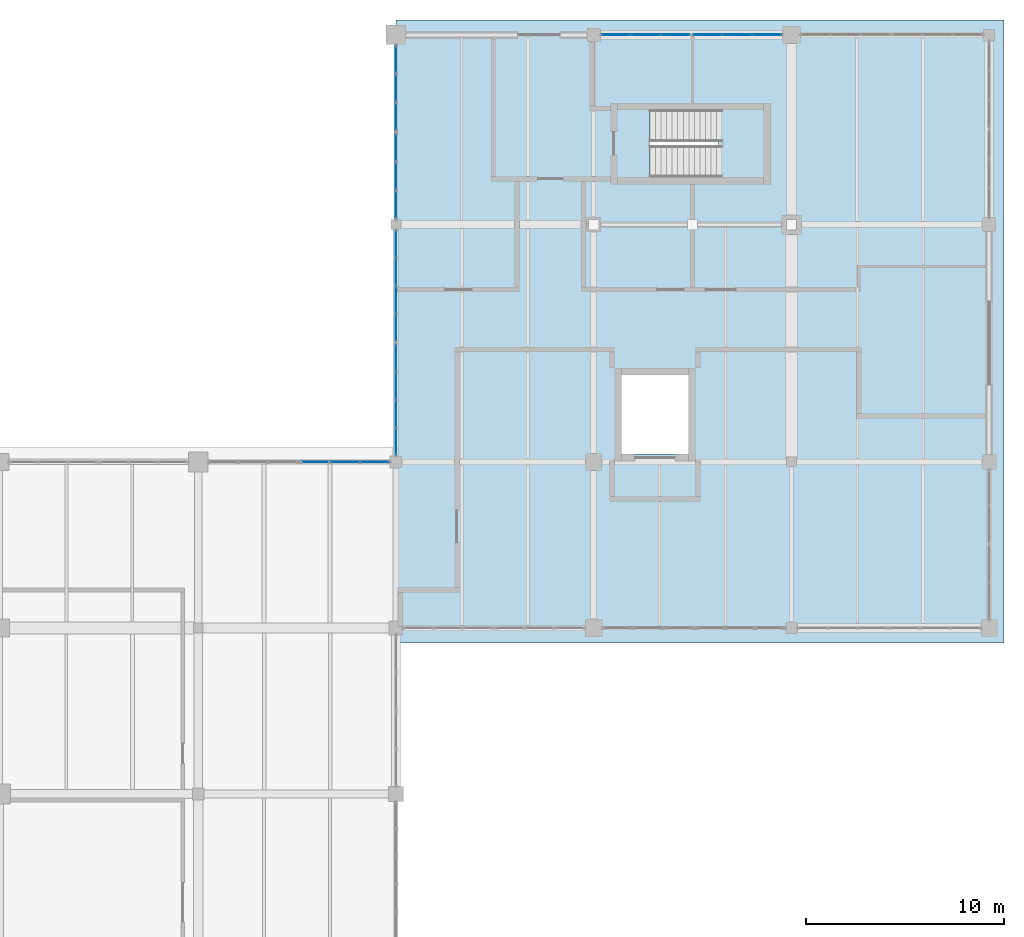
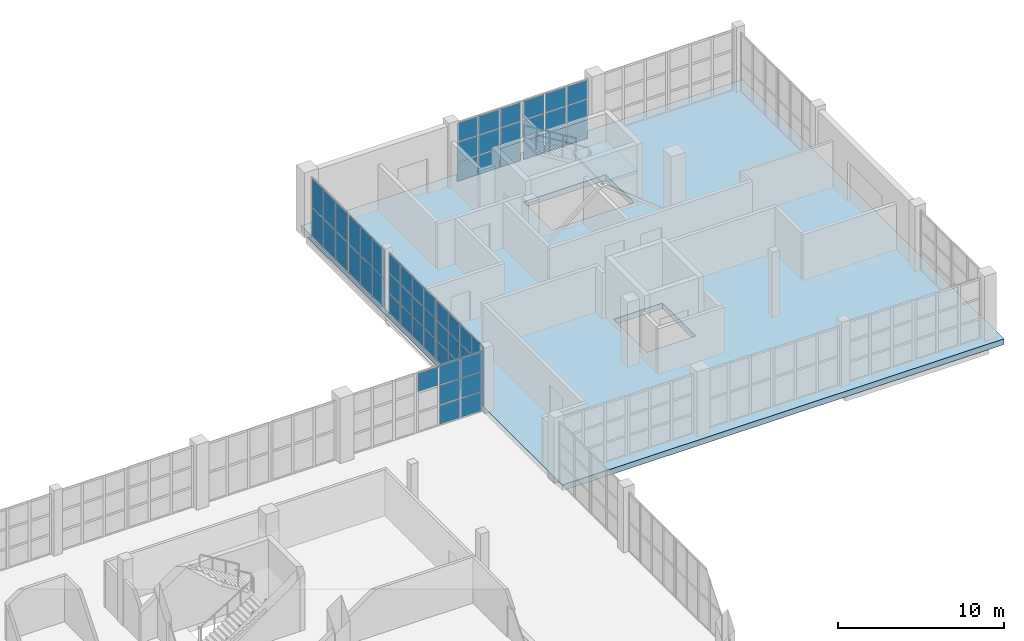
# One storey, part 94 of 121: 61 plates, 2 slabs, 8 elements without a shape of their own.
"""IFC4 building model written with IfcOpenShell, lengths in metres."""

from ifc_helpers import new_model, si_unit, direction, frame, origin, origin_2d, place, context, subcontext, project, spatial, polyline, rectangle, outline, extrude, material, layer, layer_set, type_object, element, aggregate, save


model = new_model("IFC4")

# Units and contexts
model_context = context("Model", 3, precision=1e-05, world=origin(), true_north=direction((0.0, 1.0)))
body_context = subcontext(model_context, "Body", "Model", "MODEL_VIEW")
ifc_project = project(units=[si_unit("LENGTHUNIT", "METRE"), si_unit("AREAUNIT", "SQUARE_METRE"), si_unit("VOLUMEUNIT", "CUBIC_METRE"), si_unit("PLANEANGLEUNIT", "RADIAN"), si_unit("MASSUNIT", "GRAM", prefix="KILO")], contexts=[model_context])

# Site, building, storey
site_placement = place(None, origin())
site = spatial("IfcSite", under=ifc_project, at=site_placement, CompositionType="ELEMENT")
building_placement = place(site_placement, origin())
building = spatial("IfcBuilding", under=site, at=building_placement, Name="Zereglee Splitstone Museum", CompositionType="ELEMENT")
storey_placement = place(building_placement, origin())
storey = spatial("IfcBuildingStorey", under=building, at=storey_placement, Name="L00", CompositionType="ELEMENT", Elevation=0.0)

# Curtain wall, plates
ifc_material_1 = material(Name="Triple-glazed low-E argon glass and bronze-anodised aluminium", Category="aluminium")
ifc_layer_1 = layer(ifc_material_1, 0.179931640625)
ifc_layer_set_1 = layer_set([ifc_layer_1], Name="Triple-glazed low-E argon glass and bronze-anodised aluminium")
curtain_wall_type_1 = type_object("IfcCurtainWallType", Name="CW-0455-444", PredefinedType="USERDEFINED", material=ifc_layer_set_1)
curtain_wall_1_placement = place(storey_placement, origin())
curtain_wall_1 = element("IfcCurtainWall", 1, at=curtain_wall_1_placement, inside=storey, type_object=curtain_wall_type_1, Name="Glazed Curtain Wall CW-0455-444 (L00)", ObjectType="GLAZED CURTAIN WALL", PredefinedType="USERDEFINED")
ifc_material_2 = material(Name="Triple low-e argon insulated safety glass", Category="glass")
ifc_layer_2 = layer(ifc_material_2, 0.035888671875)
ifc_layer_set_2 = layer_set([ifc_layer_2], Name="Triple low-e argon insulated safety glass")
plate_type = type_object("IfcPlateType", Name="CWP-01", PredefinedType="CURTAIN_PANEL", material=ifc_layer_set_2)
plate_1_placement = place(storey_placement, frame((314.76708984375, 60.0, 0.06494140625), z_axis=(0.0, 0.0, 1.0), x_axis=(-1.0, 0.0, 0.0)))
plate_1 = element("IfcPlate", 2, at=plate_1_placement, type_object=plate_type, Name="CW-0455-444 panel 1.1", PredefinedType="CURTAIN_PANEL", context=body_context, shape_type="SweptSolid", body=[
    extrude(rectangle(XDim=1.419921875, YDim=0.035888671875, at=origin_2d()), origin(), (0.0, 0.0, 1.0), 1.382568359375),
])
plate_2_placement = place(storey_placement, frame((314.76708984375, 60.0, 1.512451171875), z_axis=(0.0, 0.0, 1.0), x_axis=(-1.0, 0.0, 0.0)))
plate_2 = element("IfcPlate", 3, at=plate_2_placement, type_object=plate_type, Name="CW-0455-444 panel 1.2", PredefinedType="CURTAIN_PANEL", context=body_context, shape_type="SweptSolid", body=[
    extrude(rectangle(XDim=1.419921875, YDim=0.035888671875, at=origin_2d()), origin(), (0.0, 0.0, 1.0), 1.4150390625),
])
plate_3_placement = place(storey_placement, frame((314.76708984375, 60.0, 2.99267578125), z_axis=(0.0, 0.0, 1.0), x_axis=(-1.0, 0.0, 0.0)))
plate_3 = element("IfcPlate", 4, at=plate_3_placement, type_object=plate_type, Name="CW-0455-444 panel 1.3", PredefinedType="CURTAIN_PANEL", context=body_context, shape_type="SweptSolid", body=[
    extrude(rectangle(XDim=1.419921875, YDim=0.035888671875, at=origin_2d()), origin(), (0.0, 0.0, 1.0), 1.382568359375),
])
plate_4_placement = place(storey_placement, frame((313.26611328125, 60.0, 0.06494140625), z_axis=(0.0, 0.0, 1.0), x_axis=(-1.0, 0.0, 0.0)))
plate_4 = element("IfcPlate", 5, at=plate_4_placement, type_object=plate_type, Name="CW-0455-444 panel 2.1", PredefinedType="CURTAIN_PANEL", context=body_context, shape_type="SweptSolid", body=[
    extrude(rectangle(XDim=1.452392578125, YDim=0.035888671875, at=origin_2d()), origin(), (0.0, 0.0, 1.0), 1.382568359375),
])
plate_5_placement = place(storey_placement, frame((313.26611328125, 60.0, 1.512451171875), z_axis=(0.0, 0.0, 1.0), x_axis=(-1.0, 0.0, 0.0)))
plate_5 = element("IfcPlate", 6, at=plate_5_placement, type_object=plate_type, Name="CW-0455-444 panel 2.2", PredefinedType="CURTAIN_PANEL", context=body_context, shape_type="SweptSolid", body=[
    extrude(rectangle(XDim=1.452392578125, YDim=0.035888671875, at=origin_2d()), origin(), (0.0, 0.0, 1.0), 1.4150390625),
])
plate_6_placement = place(storey_placement, frame((313.26611328125, 60.0, 2.99267578125), z_axis=(0.0, 0.0, 1.0), x_axis=(-1.0, 0.0, 0.0)))
plate_6 = element("IfcPlate", 7, at=plate_6_placement, type_object=plate_type, Name="CW-0455-444 panel 2.3", PredefinedType="CURTAIN_PANEL", context=body_context, shape_type="SweptSolid", body=[
    extrude(rectangle(XDim=1.452392578125, YDim=0.035888671875, at=origin_2d()), origin(), (0.0, 0.0, 1.0), 1.382568359375),
])
plate_7_placement = place(storey_placement, frame((311.764892578125, 60.0, 0.06494140625), z_axis=(0.0, 0.0, 1.0), x_axis=(-1.0, 0.0, 0.0)))
plate_7 = element("IfcPlate", 8, at=plate_7_placement, type_object=plate_type, Name="CW-0455-444 panel 3.1", PredefinedType="CURTAIN_PANEL", context=body_context, shape_type="SweptSolid", body=[
    extrude(rectangle(XDim=1.419921875, YDim=0.035888671875, at=origin_2d()), origin(), (0.0, 0.0, 1.0), 1.382568359375),
])
plate_8_placement = place(storey_placement, frame((311.764892578125, 60.0, 1.512451171875), z_axis=(0.0, 0.0, 1.0), x_axis=(-1.0, 0.0, 0.0)))
plate_8 = element("IfcPlate", 9, at=plate_8_placement, type_object=plate_type, Name="CW-0455-444 panel 3.2", PredefinedType="CURTAIN_PANEL", context=body_context, shape_type="SweptSolid", body=[
    extrude(rectangle(XDim=1.419921875, YDim=0.035888671875, at=origin_2d()), origin(), (0.0, 0.0, 1.0), 1.4150390625),
])
plate_9_placement = place(storey_placement, frame((311.764892578125, 60.0, 2.99267578125), z_axis=(0.0, 0.0, 1.0), x_axis=(-1.0, 0.0, 0.0)))
plate_9 = element("IfcPlate", 10, at=plate_9_placement, type_object=plate_type, Name="CW-0455-444 panel 3.3", PredefinedType="CURTAIN_PANEL", context=body_context, shape_type="SweptSolid", body=[
    extrude(rectangle(XDim=1.419921875, YDim=0.035888671875, at=origin_2d()), origin(), (0.0, 0.0, 1.0), 1.382568359375),
])
aggregate(curtain_wall_1, [plate_1, plate_2, plate_3, plate_4, plate_5, plate_6, plate_7, plate_8, plate_9])

ifc_layer_3 = layer(ifc_material_1, 0.179931640625)
ifc_layer_set_3 = layer_set([ifc_layer_3], Name="Triple-glazed low-E argon glass and bronze-anodised aluminium")
curtain_wall_type_2 = type_object("IfcCurtainWallType", Name="CW-0455-442", PredefinedType="USERDEFINED", material=ifc_layer_set_3)
curtain_wall_2_placement = place(storey_placement, origin())
curtain_wall_2 = element("IfcCurtainWall", 11, at=curtain_wall_2_placement, inside=storey, type_object=curtain_wall_type_2, Name="Glazed Curtain Wall CW-0455-442 (L00)", ObjectType="GLAZED CURTAIN WALL", PredefinedType="USERDEFINED")
plate_10_placement = place(storey_placement, frame((310.135009765625, 60.0, 0.06494140625), z_axis=(0.0, 0.0, 1.0), x_axis=(-1.0, 0.0, 0.0)))
plate_10 = element("IfcPlate", 12, at=plate_10_placement, type_object=plate_type, Name="CW-0455-442 panel 1.1", PredefinedType="CURTAIN_PANEL", context=body_context, shape_type="SweptSolid", body=[
    extrude(rectangle(XDim=1.419921875, YDim=0.035888671875, at=origin_2d()), origin(), (0.0, 0.0, 1.0), 1.375732421875),
])
plate_11_placement = place(storey_placement, frame((310.135009765625, 60.0, 1.505859375), z_axis=(0.0, 0.0, 1.0), x_axis=(-1.0, 0.0, 0.0)))
plate_11 = element("IfcPlate", 13, at=plate_11_placement, type_object=plate_type, Name="CW-0455-442 panel 1.2", PredefinedType="CURTAIN_PANEL", context=body_context, shape_type="SweptSolid", body=[
    extrude(rectangle(XDim=1.419921875, YDim=0.035888671875, at=origin_2d()), origin(), (0.0, 0.0, 1.0), 1.408447265625),
])
plate_12_placement = place(storey_placement, frame((310.135009765625, 60.0, 2.97900390625), z_axis=(0.0, 0.0, 1.0), x_axis=(-1.0, 0.0, 0.0)))
plate_12 = element("IfcPlate", 14, at=plate_12_placement, type_object=plate_type, Name="CW-0455-442 panel 1.3", PredefinedType="CURTAIN_PANEL", context=body_context, shape_type="SweptSolid", body=[
    extrude(rectangle(XDim=1.419921875, YDim=0.035888671875, at=origin_2d()), origin(), (0.0, 0.0, 1.0), 1.375732421875),
])
plate_13_placement = place(storey_placement, frame((308.634033203125, 60.0, 0.06494140625), z_axis=(0.0, 0.0, 1.0), x_axis=(-1.0, 0.0, 0.0)))
plate_13 = element("IfcPlate", 15, at=plate_13_placement, type_object=plate_type, Name="CW-0455-442 panel 2.1", PredefinedType="CURTAIN_PANEL", context=body_context, shape_type="SweptSolid", body=[
    extrude(rectangle(XDim=1.452392578125, YDim=0.035888671875, at=origin_2d()), origin(), (0.0, 0.0, 1.0), 1.375732421875),
])
plate_14_placement = place(storey_placement, frame((308.634033203125, 60.0, 1.505859375), z_axis=(0.0, 0.0, 1.0), x_axis=(-1.0, 0.0, 0.0)))
plate_14 = element("IfcPlate", 16, at=plate_14_placement, type_object=plate_type, Name="CW-0455-442 panel 2.2", PredefinedType="CURTAIN_PANEL", context=body_context, shape_type="SweptSolid", body=[
    extrude(rectangle(XDim=1.452392578125, YDim=0.035888671875, at=origin_2d()), origin(), (0.0, 0.0, 1.0), 1.408447265625),
])
plate_15_placement = place(storey_placement, frame((308.634033203125, 60.0, 2.97900390625), z_axis=(0.0, 0.0, 1.0), x_axis=(-1.0, 0.0, 0.0)))
plate_15 = element("IfcPlate", 17, at=plate_15_placement, type_object=plate_type, Name="CW-0455-442 panel 2.3", PredefinedType="CURTAIN_PANEL", context=body_context, shape_type="SweptSolid", body=[
    extrude(rectangle(XDim=1.452392578125, YDim=0.035888671875, at=origin_2d()), origin(), (0.0, 0.0, 1.0), 1.375732421875),
])
plate_16_placement = place(storey_placement, frame((307.1328125, 60.0, 0.06494140625), z_axis=(0.0, 0.0, 1.0), x_axis=(-1.0, 0.0, 0.0)))
plate_16 = element("IfcPlate", 18, at=plate_16_placement, type_object=plate_type, Name="CW-0455-442 panel 3.1", PredefinedType="CURTAIN_PANEL", context=body_context, shape_type="SweptSolid", body=[
    extrude(rectangle(XDim=1.419921875, YDim=0.035888671875, at=origin_2d()), origin(), (0.0, 0.0, 1.0), 1.375732421875),
])
plate_17_placement = place(storey_placement, frame((307.1328125, 60.0, 1.505859375), z_axis=(0.0, 0.0, 1.0), x_axis=(-1.0, 0.0, 0.0)))
plate_17 = element("IfcPlate", 19, at=plate_17_placement, type_object=plate_type, Name="CW-0455-442 panel 3.2", PredefinedType="CURTAIN_PANEL", context=body_context, shape_type="SweptSolid", body=[
    extrude(rectangle(XDim=1.419921875, YDim=0.035888671875, at=origin_2d()), origin(), (0.0, 0.0, 1.0), 1.408447265625),
])
plate_18_placement = place(storey_placement, frame((307.1328125, 60.0, 2.97900390625), z_axis=(0.0, 0.0, 1.0), x_axis=(-1.0, 0.0, 0.0)))
plate_18 = element("IfcPlate", 20, at=plate_18_placement, type_object=plate_type, Name="CW-0455-442 panel 3.3", PredefinedType="CURTAIN_PANEL", context=body_context, shape_type="SweptSolid", body=[
    extrude(rectangle(XDim=1.419921875, YDim=0.035888671875, at=origin_2d()), origin(), (0.0, 0.0, 1.0), 1.375732421875),
])
aggregate(curtain_wall_2, [plate_10, plate_11, plate_12, plate_13, plate_14, plate_15, plate_16, plate_17, plate_18])

ifc_layer_4 = layer(ifc_material_1, 0.179931640625)
ifc_layer_set_4 = layer_set([ifc_layer_4], Name="Triple-glazed low-E argon glass and bronze-anodised aluminium")
curtain_wall_type_3 = type_object("IfcCurtainWallType", Name="CW-0438-438", PredefinedType="USERDEFINED", material=ifc_layer_set_4)
curtain_wall_3_placement = place(storey_placement, origin())
curtain_wall_3 = element("IfcCurtainWall", 21, at=curtain_wall_3_placement, inside=storey, type_object=curtain_wall_type_3, Name="Glazed Curtain Wall CW-0438-438 (L00)", ObjectType="GLAZED CURTAIN WALL", PredefinedType="USERDEFINED")
plate_19_placement = place(storey_placement, frame((296.0, 58.746337890625, 0.06494140625), z_axis=(0.0, 0.0, 1.0), x_axis=(0.0, -1.0, 0.0)))
plate_19 = element("IfcPlate", 22, at=plate_19_placement, type_object=plate_type, Name="CW-0438-438 panel 1.1", PredefinedType="CURTAIN_PANEL", context=body_context, shape_type="SweptSolid", body=[
    extrude(rectangle(XDim=1.361572265625, YDim=0.035888671875, at=origin_2d()), origin(), (0.0, 0.0, 1.0), 2.092529296875),
])
plate_20_placement = place(storey_placement, frame((296.0, 58.746337890625, 2.22265625), z_axis=(0.0, 0.0, 1.0), x_axis=(0.0, -1.0, 0.0)))
plate_20 = element("IfcPlate", 23, at=plate_20_placement, type_object=plate_type, Name="CW-0438-438 panel 1.2", PredefinedType="CURTAIN_PANEL", context=body_context, shape_type="SweptSolid", body=[
    extrude(rectangle(XDim=1.361572265625, YDim=0.035888671875, at=origin_2d()), origin(), (0.0, 0.0, 1.0), 2.092529296875),
])
plate_21_placement = place(storey_placement, frame((296.0, 57.303466796875, 0.06494140625), z_axis=(0.0, 0.0, 1.0), x_axis=(0.0, -1.0, 0.0)))
plate_21 = element("IfcPlate", 24, at=plate_21_placement, type_object=plate_type, Name="CW-0438-438 panel 2.1", PredefinedType="CURTAIN_PANEL", context=body_context, shape_type="SweptSolid", body=[
    extrude(rectangle(XDim=1.39404296875, YDim=0.035888671875, at=origin_2d()), origin(), (0.0, 0.0, 1.0), 2.092529296875),
])
plate_22_placement = place(storey_placement, frame((296.0, 57.303466796875, 2.22265625), z_axis=(0.0, 0.0, 1.0), x_axis=(0.0, -1.0, 0.0)))
plate_22 = element("IfcPlate", 25, at=plate_22_placement, type_object=plate_type, Name="CW-0438-438 panel 2.2", PredefinedType="CURTAIN_PANEL", context=body_context, shape_type="SweptSolid", body=[
    extrude(rectangle(XDim=1.39404296875, YDim=0.035888671875, at=origin_2d()), origin(), (0.0, 0.0, 1.0), 2.092529296875),
])
plate_23_placement = place(storey_placement, frame((296.0, 55.86083984375, 0.06494140625), z_axis=(0.0, 0.0, 1.0), x_axis=(0.0, -1.0, 0.0)))
plate_23 = element("IfcPlate", 26, at=plate_23_placement, type_object=plate_type, Name="CW-0438-438 panel 3.1", PredefinedType="CURTAIN_PANEL", context=body_context, shape_type="SweptSolid", body=[
    extrude(rectangle(XDim=1.361572265625, YDim=0.035888671875, at=origin_2d()), origin(), (0.0, 0.0, 1.0), 2.092529296875),
])
plate_24_placement = place(storey_placement, frame((296.0, 55.86083984375, 2.22265625), z_axis=(0.0, 0.0, 1.0), x_axis=(0.0, -1.0, 0.0)))
plate_24 = element("IfcPlate", 27, at=plate_24_placement, type_object=plate_type, Name="CW-0438-438 panel 3.2", PredefinedType="CURTAIN_PANEL", context=body_context, shape_type="SweptSolid", body=[
    extrude(rectangle(XDim=1.361572265625, YDim=0.035888671875, at=origin_2d()), origin(), (0.0, 0.0, 1.0), 2.092529296875),
])
aggregate(curtain_wall_3, [plate_19, plate_20, plate_21, plate_22, plate_23, plate_24])

ifc_layer_5 = layer(ifc_material_1, 0.179931640625)
ifc_layer_set_5 = layer_set([ifc_layer_5], Name="Triple-glazed low-E argon glass and bronze-anodised aluminium")
curtain_wall_type_4 = type_object("IfcCurtainWallType", Name="CW-0438-436", PredefinedType="USERDEFINED", material=ifc_layer_set_5)
curtain_wall_4_placement = place(storey_placement, origin())
curtain_wall_4 = element("IfcCurtainWall", 28, at=curtain_wall_4_placement, inside=storey, type_object=curtain_wall_type_4, Name="Glazed Curtain Wall CW-0438-436 (L00)", ObjectType="GLAZED CURTAIN WALL", PredefinedType="USERDEFINED")
plate_25_placement = place(storey_placement, frame((296.0, 54.289306640625, 0.06494140625), z_axis=(0.0, 0.0, 1.0), x_axis=(0.0, -1.0, 0.0)))
plate_25 = element("IfcPlate", 29, at=plate_25_placement, type_object=plate_type, Name="CW-0438-436 panel 1.1", PredefinedType="CURTAIN_PANEL", context=body_context, shape_type="SweptSolid", body=[
    extrude(rectangle(XDim=1.361572265625, YDim=0.035888671875, at=origin_2d()), origin(), (0.0, 0.0, 1.0), 2.08251953125),
])
plate_26_placement = place(storey_placement, frame((296.0, 54.289306640625, 2.21240234375), z_axis=(0.0, 0.0, 1.0), x_axis=(0.0, -1.0, 0.0)))
plate_26 = element("IfcPlate", 30, at=plate_26_placement, type_object=plate_type, Name="CW-0438-436 panel 1.2", PredefinedType="CURTAIN_PANEL", context=body_context, shape_type="SweptSolid", body=[
    extrude(rectangle(XDim=1.361572265625, YDim=0.035888671875, at=origin_2d()), origin(), (0.0, 0.0, 1.0), 2.08251953125),
])
plate_27_placement = place(storey_placement, frame((296.0, 52.846435546875, 0.06494140625), z_axis=(0.0, 0.0, 1.0), x_axis=(0.0, -1.0, 0.0)))
plate_27 = element("IfcPlate", 31, at=plate_27_placement, type_object=plate_type, Name="CW-0438-436 panel 2.1", PredefinedType="CURTAIN_PANEL", context=body_context, shape_type="SweptSolid", body=[
    extrude(rectangle(XDim=1.39404296875, YDim=0.035888671875, at=origin_2d()), origin(), (0.0, 0.0, 1.0), 2.08251953125),
])
plate_28_placement = place(storey_placement, frame((296.0, 52.846435546875, 2.21240234375), z_axis=(0.0, 0.0, 1.0), x_axis=(0.0, -1.0, 0.0)))
plate_28 = element("IfcPlate", 32, at=plate_28_placement, type_object=plate_type, Name="CW-0438-436 panel 2.2", PredefinedType="CURTAIN_PANEL", context=body_context, shape_type="SweptSolid", body=[
    extrude(rectangle(XDim=1.39404296875, YDim=0.035888671875, at=origin_2d()), origin(), (0.0, 0.0, 1.0), 2.08251953125),
])
plate_29_placement = place(storey_placement, frame((296.0, 51.40380859375, 0.06494140625), z_axis=(0.0, 0.0, 1.0), x_axis=(0.0, -1.0, 0.0)))
plate_29 = element("IfcPlate", 33, at=plate_29_placement, type_object=plate_type, Name="CW-0438-436 panel 3.1", PredefinedType="CURTAIN_PANEL", context=body_context, shape_type="SweptSolid", body=[
    extrude(rectangle(XDim=1.361572265625, YDim=0.035888671875, at=origin_2d()), origin(), (0.0, 0.0, 1.0), 2.08251953125),
])
plate_30_placement = place(storey_placement, frame((296.0, 51.40380859375, 2.21240234375), z_axis=(0.0, 0.0, 1.0), x_axis=(0.0, -1.0, 0.0)))
plate_30 = element("IfcPlate", 34, at=plate_30_placement, type_object=plate_type, Name="CW-0438-436 panel 3.2", PredefinedType="CURTAIN_PANEL", context=body_context, shape_type="SweptSolid", body=[
    extrude(rectangle(XDim=1.361572265625, YDim=0.035888671875, at=origin_2d()), origin(), (0.0, 0.0, 1.0), 2.08251953125),
])
aggregate(curtain_wall_4, [plate_25, plate_26, plate_27, plate_28, plate_29, plate_30])

ifc_layer_6 = layer(ifc_material_1, 0.179931640625)
ifc_layer_set_6 = layer_set([ifc_layer_6], Name="Triple-glazed low-E argon glass and bronze-anodised aluminium")
curtain_wall_type_5 = type_object("IfcCurtainWallType", Name="CW-0568-450", PredefinedType="USERDEFINED", material=ifc_layer_set_6)
curtain_wall_5_placement = place(storey_placement, origin())
curtain_wall_5 = element("IfcCurtainWall", 35, at=curtain_wall_5_placement, inside=storey, type_object=curtain_wall_type_5, Name="Glazed Curtain Wall CW-0568-450 (L00)", ObjectType="GLAZED CURTAIN WALL", PredefinedType="USERDEFINED")
plate_31_placement = place(storey_placement, frame((296.0, 49.416015625, 0.06494140625), z_axis=(0.0, 0.0, 1.0), x_axis=(0.0, -1.0, 0.0)))
plate_31 = element("IfcPlate", 36, at=plate_31_placement, type_object=plate_type, Name="CW-0568-450 panel 1.1", PredefinedType="CURTAIN_PANEL", context=body_context, shape_type="SweptSolid", body=[
    extrude(rectangle(XDim=1.32177734375, YDim=0.035888671875, at=origin_2d()), origin(), (0.0, 0.0, 1.0), 1.402587890625),
])
plate_32_placement = place(storey_placement, frame((296.0, 49.416015625, 1.532470703125), z_axis=(0.0, 0.0, 1.0), x_axis=(0.0, -1.0, 0.0)))
plate_32 = element("IfcPlate", 37, at=plate_32_placement, type_object=plate_type, Name="CW-0568-450 panel 1.2", PredefinedType="CURTAIN_PANEL", context=body_context, shape_type="SweptSolid", body=[
    extrude(rectangle(XDim=1.32177734375, YDim=0.035888671875, at=origin_2d()), origin(), (0.0, 0.0, 1.0), 1.43505859375),
])
plate_33_placement = place(storey_placement, frame((296.0, 49.416015625, 3.0322265625), z_axis=(0.0, 0.0, 1.0), x_axis=(0.0, -1.0, 0.0)))
plate_33 = element("IfcPlate", 38, at=plate_33_placement, type_object=plate_type, Name="CW-0568-450 panel 1.3", PredefinedType="CURTAIN_PANEL", context=body_context, shape_type="SweptSolid", body=[
    extrude(rectangle(XDim=1.32177734375, YDim=0.035888671875, at=origin_2d()), origin(), (0.0, 0.0, 1.0), 1.402587890625),
])
plate_34_placement = place(storey_placement, frame((296.0, 48.01318359375, 0.06494140625), z_axis=(0.0, 0.0, 1.0), x_axis=(0.0, -1.0, 0.0)))
plate_34 = element("IfcPlate", 39, at=plate_34_placement, type_object=plate_type, Name="CW-0568-450 panel 2.1", PredefinedType="CURTAIN_PANEL", context=body_context, shape_type="SweptSolid", body=[
    extrude(rectangle(XDim=1.354248046875, YDim=0.035888671875, at=origin_2d()), origin(), (0.0, 0.0, 1.0), 1.402587890625),
])
plate_35_placement = place(storey_placement, frame((296.0, 48.01318359375, 1.532470703125), z_axis=(0.0, 0.0, 1.0), x_axis=(0.0, -1.0, 0.0)))
plate_35 = element("IfcPlate", 40, at=plate_35_placement, type_object=plate_type, Name="CW-0568-450 panel 2.2", PredefinedType="CURTAIN_PANEL", context=body_context, shape_type="SweptSolid", body=[
    extrude(rectangle(XDim=1.354248046875, YDim=0.035888671875, at=origin_2d()), origin(), (0.0, 0.0, 1.0), 1.43505859375),
])
plate_36_placement = place(storey_placement, frame((296.0, 48.01318359375, 3.0322265625), z_axis=(0.0, 0.0, 1.0), x_axis=(0.0, -1.0, 0.0)))
plate_36 = element("IfcPlate", 41, at=plate_36_placement, type_object=plate_type, Name="CW-0568-450 panel 2.3", PredefinedType="CURTAIN_PANEL", context=body_context, shape_type="SweptSolid", body=[
    extrude(rectangle(XDim=1.354248046875, YDim=0.035888671875, at=origin_2d()), origin(), (0.0, 0.0, 1.0), 1.402587890625),
])
plate_37_placement = place(storey_placement, frame((296.0, 46.593994140625, 0.06494140625), z_axis=(0.0, 0.0, 1.0), x_axis=(0.0, -1.0, 0.0)))
plate_37 = element("IfcPlate", 42, at=plate_37_placement, type_object=plate_type, Name="CW-0568-450 panel 3.1", PredefinedType="CURTAIN_PANEL", context=body_context, shape_type="SweptSolid", body=[
    extrude(rectangle(XDim=1.354248046875, YDim=0.035888671875, at=origin_2d()), origin(), (0.0, 0.0, 1.0), 1.402587890625),
])
plate_38_placement = place(storey_placement, frame((296.0, 46.593994140625, 1.532470703125), z_axis=(0.0, 0.0, 1.0), x_axis=(0.0, -1.0, 0.0)))
plate_38 = element("IfcPlate", 43, at=plate_38_placement, type_object=plate_type, Name="CW-0568-450 panel 3.2", PredefinedType="CURTAIN_PANEL", context=body_context, shape_type="SweptSolid", body=[
    extrude(rectangle(XDim=1.354248046875, YDim=0.035888671875, at=origin_2d()), origin(), (0.0, 0.0, 1.0), 1.43505859375),
])
plate_39_placement = place(storey_placement, frame((296.0, 46.593994140625, 3.0322265625), z_axis=(0.0, 0.0, 1.0), x_axis=(0.0, -1.0, 0.0)))
plate_39 = element("IfcPlate", 44, at=plate_39_placement, type_object=plate_type, Name="CW-0568-450 panel 3.3", PredefinedType="CURTAIN_PANEL", context=body_context, shape_type="SweptSolid", body=[
    extrude(rectangle(XDim=1.354248046875, YDim=0.035888671875, at=origin_2d()), origin(), (0.0, 0.0, 1.0), 1.402587890625),
])
plate_40_placement = place(storey_placement, frame((296.0, 45.19091796875, 0.06494140625), z_axis=(0.0, 0.0, 1.0), x_axis=(0.0, -1.0, 0.0)))
plate_40 = element("IfcPlate", 45, at=plate_40_placement, type_object=plate_type, Name="CW-0568-450 panel 4.1", PredefinedType="CURTAIN_PANEL", context=body_context, shape_type="SweptSolid", body=[
    extrude(rectangle(XDim=1.32177734375, YDim=0.035888671875, at=origin_2d()), origin(), (0.0, 0.0, 1.0), 1.402587890625),
])
plate_41_placement = place(storey_placement, frame((296.0, 45.19091796875, 1.532470703125), z_axis=(0.0, 0.0, 1.0), x_axis=(0.0, -1.0, 0.0)))
plate_41 = element("IfcPlate", 46, at=plate_41_placement, type_object=plate_type, Name="CW-0568-450 panel 4.2", PredefinedType="CURTAIN_PANEL", context=body_context, shape_type="SweptSolid", body=[
    extrude(rectangle(XDim=1.32177734375, YDim=0.035888671875, at=origin_2d()), origin(), (0.0, 0.0, 1.0), 1.43505859375),
])
plate_42_placement = place(storey_placement, frame((296.0, 45.19091796875, 3.0322265625), z_axis=(0.0, 0.0, 1.0), x_axis=(0.0, -1.0, 0.0)))
plate_42 = element("IfcPlate", 47, at=plate_42_placement, type_object=plate_type, Name="CW-0568-450 panel 4.3", PredefinedType="CURTAIN_PANEL", context=body_context, shape_type="SweptSolid", body=[
    extrude(rectangle(XDim=1.32177734375, YDim=0.035888671875, at=origin_2d()), origin(), (0.0, 0.0, 1.0), 1.402587890625),
])
aggregate(curtain_wall_5, [plate_31, plate_32, plate_33, plate_34, plate_35, plate_36, plate_37, plate_38, plate_39, plate_40, plate_41, plate_42])

ifc_layer_7 = layer(ifc_material_1, 0.179931640625)
ifc_layer_set_7 = layer_set([ifc_layer_7], Name="Triple-glazed low-E argon glass and bronze-anodised aluminium")
curtain_wall_type_6 = type_object("IfcCurtainWallType", Name="CW-0568-448", PredefinedType="USERDEFINED", material=ifc_layer_set_7)
curtain_wall_6_placement = place(storey_placement, origin())
curtain_wall_6 = element("IfcCurtainWall", 48, at=curtain_wall_6_placement, inside=storey, type_object=curtain_wall_type_6, Name="Glazed Curtain Wall CW-0568-448 (L00)", ObjectType="GLAZED CURTAIN WALL", PredefinedType="USERDEFINED")
plate_43_placement = place(storey_placement, frame((296.0, 43.6591796875, 0.06494140625), z_axis=(0.0, 0.0, 1.0), x_axis=(0.0, -1.0, 0.0)))
plate_43 = element("IfcPlate", 49, at=plate_43_placement, type_object=plate_type, Name="CW-0568-448 panel 1.1", PredefinedType="CURTAIN_PANEL", context=body_context, shape_type="SweptSolid", body=[
    extrude(rectangle(XDim=1.32177734375, YDim=0.035888671875, at=origin_2d()), origin(), (0.0, 0.0, 1.0), 1.395751953125),
])
plate_44_placement = place(storey_placement, frame((296.0, 43.6591796875, 1.52587890625), z_axis=(0.0, 0.0, 1.0), x_axis=(0.0, -1.0, 0.0)))
plate_44 = element("IfcPlate", 50, at=plate_44_placement, type_object=plate_type, Name="CW-0568-448 panel 1.2", PredefinedType="CURTAIN_PANEL", context=body_context, shape_type="SweptSolid", body=[
    extrude(rectangle(XDim=1.32177734375, YDim=0.035888671875, at=origin_2d()), origin(), (0.0, 0.0, 1.0), 1.428466796875),
])
plate_45_placement = place(storey_placement, frame((296.0, 43.6591796875, 3.01904296875), z_axis=(0.0, 0.0, 1.0), x_axis=(0.0, -1.0, 0.0)))
plate_45 = element("IfcPlate", 51, at=plate_45_placement, type_object=plate_type, Name="CW-0568-448 panel 1.3", PredefinedType="CURTAIN_PANEL", context=body_context, shape_type="SweptSolid", body=[
    extrude(rectangle(XDim=1.32177734375, YDim=0.035888671875, at=origin_2d()), origin(), (0.0, 0.0, 1.0), 1.395751953125),
])
plate_46_placement = place(storey_placement, frame((296.0, 42.256103515625, 0.06494140625), z_axis=(0.0, 0.0, 1.0), x_axis=(0.0, -1.0, 0.0)))
plate_46 = element("IfcPlate", 52, at=plate_46_placement, type_object=plate_type, Name="CW-0568-448 panel 2.1", PredefinedType="CURTAIN_PANEL", context=body_context, shape_type="SweptSolid", body=[
    extrude(rectangle(XDim=1.354248046875, YDim=0.035888671875, at=origin_2d()), origin(), (0.0, 0.0, 1.0), 1.395751953125),
])
plate_47_placement = place(storey_placement, frame((296.0, 42.256103515625, 1.52587890625), z_axis=(0.0, 0.0, 1.0), x_axis=(0.0, -1.0, 0.0)))
plate_47 = element("IfcPlate", 53, at=plate_47_placement, type_object=plate_type, Name="CW-0568-448 panel 2.2", PredefinedType="CURTAIN_PANEL", context=body_context, shape_type="SweptSolid", body=[
    extrude(rectangle(XDim=1.354248046875, YDim=0.035888671875, at=origin_2d()), origin(), (0.0, 0.0, 1.0), 1.428466796875),
])
plate_48_placement = place(storey_placement, frame((296.0, 42.256103515625, 3.01904296875), z_axis=(0.0, 0.0, 1.0), x_axis=(0.0, -1.0, 0.0)))
plate_48 = element("IfcPlate", 54, at=plate_48_placement, type_object=plate_type, Name="CW-0568-448 panel 2.3", PredefinedType="CURTAIN_PANEL", context=body_context, shape_type="SweptSolid", body=[
    extrude(rectangle(XDim=1.354248046875, YDim=0.035888671875, at=origin_2d()), origin(), (0.0, 0.0, 1.0), 1.395751953125),
])
plate_49_placement = place(storey_placement, frame((296.0, 40.8369140625, 0.06494140625), z_axis=(0.0, 0.0, 1.0), x_axis=(0.0, -1.0, 0.0)))
plate_49 = element("IfcPlate", 55, at=plate_49_placement, type_object=plate_type, Name="CW-0568-448 panel 3.1", PredefinedType="CURTAIN_PANEL", context=body_context, shape_type="SweptSolid", body=[
    extrude(rectangle(XDim=1.354248046875, YDim=0.035888671875, at=origin_2d()), origin(), (0.0, 0.0, 1.0), 1.395751953125),
])
plate_50_placement = place(storey_placement, frame((296.0, 40.8369140625, 1.52587890625), z_axis=(0.0, 0.0, 1.0), x_axis=(0.0, -1.0, 0.0)))
plate_50 = element("IfcPlate", 56, at=plate_50_placement, type_object=plate_type, Name="CW-0568-448 panel 3.2", PredefinedType="CURTAIN_PANEL", context=body_context, shape_type="SweptSolid", body=[
    extrude(rectangle(XDim=1.354248046875, YDim=0.035888671875, at=origin_2d()), origin(), (0.0, 0.0, 1.0), 1.428466796875),
])
plate_51_placement = place(storey_placement, frame((296.0, 40.8369140625, 3.01904296875), z_axis=(0.0, 0.0, 1.0), x_axis=(0.0, -1.0, 0.0)))
plate_51 = element("IfcPlate", 57, at=plate_51_placement, type_object=plate_type, Name="CW-0568-448 panel 3.3", PredefinedType="CURTAIN_PANEL", context=body_context, shape_type="SweptSolid", body=[
    extrude(rectangle(XDim=1.354248046875, YDim=0.035888671875, at=origin_2d()), origin(), (0.0, 0.0, 1.0), 1.395751953125),
])
plate_52_placement = place(storey_placement, frame((296.0, 39.433837890625, 0.06494140625), z_axis=(0.0, 0.0, 1.0), x_axis=(0.0, -1.0, 0.0)))
plate_52 = element("IfcPlate", 58, at=plate_52_placement, type_object=plate_type, Name="CW-0568-448 panel 4.1", PredefinedType="CURTAIN_PANEL", context=body_context, shape_type="SweptSolid", body=[
    extrude(rectangle(XDim=1.32177734375, YDim=0.035888671875, at=origin_2d()), origin(), (0.0, 0.0, 1.0), 1.395751953125),
])
plate_53_placement = place(storey_placement, frame((296.0, 39.433837890625, 1.52587890625), z_axis=(0.0, 0.0, 1.0), x_axis=(0.0, -1.0, 0.0)))
plate_53 = element("IfcPlate", 59, at=plate_53_placement, type_object=plate_type, Name="CW-0568-448 panel 4.2", PredefinedType="CURTAIN_PANEL", context=body_context, shape_type="SweptSolid", body=[
    extrude(rectangle(XDim=1.32177734375, YDim=0.035888671875, at=origin_2d()), origin(), (0.0, 0.0, 1.0), 1.428466796875),
])
plate_54_placement = place(storey_placement, frame((296.0, 39.433837890625, 3.01904296875), z_axis=(0.0, 0.0, 1.0), x_axis=(0.0, -1.0, 0.0)))
plate_54 = element("IfcPlate", 60, at=plate_54_placement, type_object=plate_type, Name="CW-0568-448 panel 4.3", PredefinedType="CURTAIN_PANEL", context=body_context, shape_type="SweptSolid", body=[
    extrude(rectangle(XDim=1.32177734375, YDim=0.035888671875, at=origin_2d()), origin(), (0.0, 0.0, 1.0), 1.395751953125),
])
aggregate(curtain_wall_6, [plate_43, plate_44, plate_45, plate_46, plate_47, plate_48, plate_49, plate_50, plate_51, plate_52, plate_53, plate_54])

curtain_wall_7_placement = place(storey_placement, origin())
curtain_wall_7 = element("IfcCurtainWall", 61, at=curtain_wall_7_placement, inside=storey, type_object=curtain_wall_type_1, Name="Glazed Curtain Wall CW-0455-444 (L00)", ObjectType="GLAZED CURTAIN WALL", PredefinedType="USERDEFINED")
plate_55_placement = place(storey_placement, frame((294.9169921875, 38.39990234375, 0.06494140625), z_axis=(0.0, 0.0, 1.0), x_axis=(-1.0, 0.0, 0.0)))
plate_55 = element("IfcPlate", 62, at=plate_55_placement, type_object=plate_type, Name="CW-0455-444 panel 1.1", PredefinedType="CURTAIN_PANEL", context=body_context, shape_type="SweptSolid", body=[
    extrude(rectangle(XDim=1.419921875, YDim=0.035888671875, at=origin_2d()), origin(), (0.0, 0.0, 1.0), 1.382568359375),
])
plate_56_placement = place(storey_placement, frame((294.9169921875, 38.39990234375, 1.512451171875), z_axis=(0.0, 0.0, 1.0), x_axis=(-1.0, 0.0, 0.0)))
plate_56 = element("IfcPlate", 63, at=plate_56_placement, type_object=plate_type, Name="CW-0455-444 panel 1.2", PredefinedType="CURTAIN_PANEL", context=body_context, shape_type="SweptSolid", body=[
    extrude(rectangle(XDim=1.419921875, YDim=0.035888671875, at=origin_2d()), origin(), (0.0, 0.0, 1.0), 1.4150390625),
])
plate_57_placement = place(storey_placement, frame((294.9169921875, 38.39990234375, 2.99267578125), z_axis=(0.0, 0.0, 1.0), x_axis=(-1.0, 0.0, 0.0)))
plate_57 = element("IfcPlate", 64, at=plate_57_placement, type_object=plate_type, Name="CW-0455-444 panel 1.3", PredefinedType="CURTAIN_PANEL", context=body_context, shape_type="SweptSolid", body=[
    extrude(rectangle(XDim=1.419921875, YDim=0.035888671875, at=origin_2d()), origin(), (0.0, 0.0, 1.0), 1.382568359375),
])
plate_58_placement = place(storey_placement, frame((293.416015625, 38.39990234375, 0.06494140625), z_axis=(0.0, 0.0, 1.0), x_axis=(-1.0, 0.0, 0.0)))
plate_58 = element("IfcPlate", 65, at=plate_58_placement, type_object=plate_type, Name="CW-0455-444 panel 2.1", PredefinedType="CURTAIN_PANEL", context=body_context, shape_type="SweptSolid", body=[
    extrude(rectangle(XDim=1.452392578125, YDim=0.035888671875, at=origin_2d()), origin(), (0.0, 0.0, 1.0), 1.382568359375),
])
plate_59_placement = place(storey_placement, frame((293.416015625, 38.39990234375, 1.512451171875), z_axis=(0.0, 0.0, 1.0), x_axis=(-1.0, 0.0, 0.0)))
plate_59 = element("IfcPlate", 66, at=plate_59_placement, type_object=plate_type, Name="CW-0455-444 panel 2.2", PredefinedType="CURTAIN_PANEL", context=body_context, shape_type="SweptSolid", body=[
    extrude(rectangle(XDim=1.452392578125, YDim=0.035888671875, at=origin_2d()), origin(), (0.0, 0.0, 1.0), 1.4150390625),
])
plate_60_placement = place(storey_placement, frame((293.416015625, 38.39990234375, 2.99267578125), z_axis=(0.0, 0.0, 1.0), x_axis=(-1.0, 0.0, 0.0)))
plate_60 = element("IfcPlate", 67, at=plate_60_placement, type_object=plate_type, Name="CW-0455-444 panel 2.3", PredefinedType="CURTAIN_PANEL", context=body_context, shape_type="SweptSolid", body=[
    extrude(rectangle(XDim=1.452392578125, YDim=0.035888671875, at=origin_2d()), origin(), (0.0, 0.0, 1.0), 1.382568359375),
])
plate_61_placement = place(storey_placement, frame((291.914794921875, 38.39990234375, 2.99267578125), z_axis=(0.0, 0.0, 1.0), x_axis=(-1.0, 0.0, 0.0)))
plate_61 = element("IfcPlate", 68, at=plate_61_placement, type_object=plate_type, Name="CW-0455-444 panel 3.3", PredefinedType="CURTAIN_PANEL", context=body_context, shape_type="SweptSolid", body=[
    extrude(rectangle(XDim=1.419921875, YDim=0.035888671875, at=origin_2d()), origin(), (0.0, 0.0, 1.0), 1.382568359375),
])
aggregate(curtain_wall_7, [plate_55, plate_56, plate_57, plate_58, plate_59, plate_60, plate_61])

# Slab
ifc_material_3 = material(Name="Concrete C35/45", Category="concrete")
ifc_layer_8 = layer(ifc_material_3, 0.419921875)
ifc_layer_set_8 = layer_set([ifc_layer_8], Name="Concrete C35/45")
slab_type_1 = type_object("IfcSlabType", Name="FS-01", PredefinedType="FLOOR", material=ifc_layer_set_8)
slab_1_placement = place(storey_placement, frame((0.0, 0.0, -0.419921875)))
element("IfcSlab", 69, at=slab_1_placement, inside=storey, type_object=slab_type_1, Name="Gallery Floor Slab L00-V6", PredefinedType="FLOOR", context=body_context, shape_type="SweptSolid", body=[
    extrude(outline(polyline([(296.0, 29.25), (326.75, 29.25), (326.75, 60.75), (296.0, 60.75), (296.0, 29.25)]), holes=[polyline([(308.85400390625, 52.800048828125), (314.60009765625, 52.800048828125), (314.60009765625, 56.199951171875), (308.85400390625, 56.199951171875), (308.85400390625, 52.800048828125)]), polyline([(307.39990234375, 38.800048828125), (310.800048828125, 38.800048828125), (310.800048828125, 42.800048828125), (307.39990234375, 42.800048828125), (307.39990234375, 38.800048828125)])]), origin(), (0.0, 0.0, 1.0), 0.419921875),
])

# Stair, slab
stair_type = type_object("IfcStairType", Name="ST-08A", PredefinedType="HALF_TURN_STAIR", material=ifc_material_3)
stair_placement = place(storey_placement, origin())
stair = element("IfcStair", 70, at=stair_placement, inside=storey, type_object=stair_type, Name="L00 Protected Exit Stair ST-08 A", PredefinedType="HALF_TURN_STAIR")
ifc_layer_9 = layer(ifc_material_3, 0.199951171875)
ifc_layer_set_9 = layer_set([ifc_layer_9], Name="Concrete C35/45")
slab_type_2 = type_object("IfcSlabType", Name="ST-08A", PredefinedType="LANDING", material=ifc_layer_set_9)
slab_2_placement = place(storey_placement, frame((0.0, 0.0, 2.199951171875)))
slab_2 = element("IfcSlab", 71, at=slab_2_placement, type_object=slab_type_2, Name="ST-08A landing 1", PredefinedType="LANDING", context=body_context, shape_type="SweptSolid", body=[
    extrude(outline(polyline([(312.31005859375, 52.659912109375), (314.739990234375, 52.659912109375), (314.739990234375, 56.340087890625), (312.31005859375, 56.340087890625), (312.31005859375, 52.659912109375)])), origin(), (0.0, 0.0, 1.0), 0.199951171875),
])
aggregate(stair, [slab_2])

save(model, "model.ifc")
